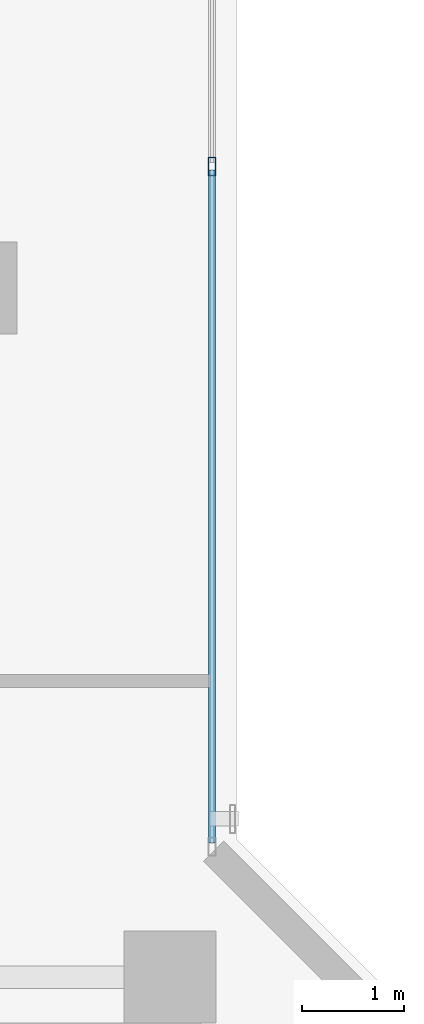
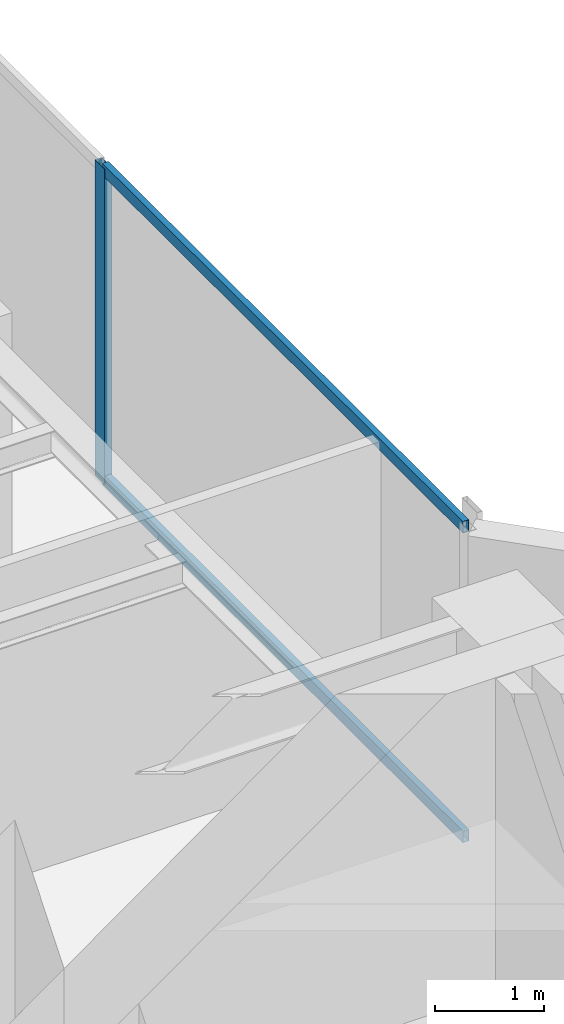
# One storey, part 14 of 32: 3 members, 1 element without a shape of its own.
"""IFC4 building model written with IfcOpenShell, lengths in metres."""

from ifc_helpers import new_model, si_unit, direction, frame, origin, origin_with_axes, origin_2d, place, context, subcontext, project, spatial, hollow_rectangle, extrude, source, transform, mapped, material, layer, layer_set, material_profile, profile_set, type_object, element, aggregate, save


model = new_model("IFC4")

# Units and contexts
model_context = context("Model", 3, precision=1e-05, world=origin(), true_north=direction((0.0, 1.0)))
body_context = subcontext(model_context, "Body", "Model", "MODEL_VIEW")
ifc_project = project(units=[si_unit("LENGTHUNIT", "METRE"), si_unit("AREAUNIT", "SQUARE_METRE"), si_unit("VOLUMEUNIT", "CUBIC_METRE"), si_unit("PLANEANGLEUNIT", "RADIAN"), si_unit("MASSUNIT", "GRAM", prefix="KILO")], contexts=[model_context])

# Site, building, storey
site_placement = place(None, origin())
site = spatial("IfcSite", under=ifc_project, at=site_placement, CompositionType="ELEMENT")
building_placement = place(site_placement, origin())
building = spatial("IfcBuilding", under=site, at=building_placement, Name="Kolvaren Waterfront Exchange", CompositionType="ELEMENT")
storey_placement = place(building_placement, frame((0.0, 0.0, 348.10009765625)))
storey = spatial("IfcBuildingStorey", under=building, at=storey_placement, Name="L89", CompositionType="ELEMENT", Elevation=348.10009765625)

# Curtain wall, members
ifc_material = material(Name="Anodised bronze aluminium 6063-T6", Category="aluminium")
ifc_layer = layer(ifc_material, 0.219970703125, Name="Anodised bronze aluminium 6063-T6")
ifc_layer_set = layer_set([ifc_layer], Name="Anodised bronze aluminium 6063-T6")
curtain_wall_type = type_object("IfcCurtainWallType", Name="ARC-CW-SYS5", PredefinedType="USERDEFINED", material=ifc_layer_set)
curtain_wall_placement = place(storey_placement, origin())
curtain_wall = element("IfcCurtainWall", 1, at=curtain_wall_placement, inside=storey, type_object=curtain_wall_type, Name="L89 stick curtain wall CW5 (CW-L89-NE)", ObjectType="STICK CURTAIN WALL", PredefinedType="USERDEFINED")
ifc_material_profile_1 = material_profile(ifc_material, hollow_rectangle(XDim=0.06494140625, YDim=0.1298828125, WallThickness=0.00390625, at=origin_2d()), Name="ALU-TRN-130x65x4")
ifc_profile_set_1 = profile_set([ifc_material_profile_1], Name="Anodised bronze aluminium 6063-T6")
member_type_1 = type_object("IfcMemberType", Name="ARC-CWT-130", PredefinedType="USERDEFINED", material=ifc_profile_set_1)
shared_shape_1 = source(origin_with_axes(), body_context, "Body", "SweptSolid", [
    extrude(hollow_rectangle(XDim=0.06494140625, YDim=0.1298828125, WallThickness=0.00390625, at=origin_2d()), origin(), (0.0, 0.0, 1.0), 6.5908203125),
])
member_1_placement = place(storey_placement, frame((21.159912109375, 25.764892578125, 0.032470703125), z_axis=(0.0, 1.0, 0.0), x_axis=(-1.0, 0.0, 0.0)))
member_1 = element("IfcMember", 2, at=member_1_placement, type_object=member_type_1, Name="CW5 transom 1.1", ObjectType="TRANSOM", PredefinedType="USERDEFINED", context=body_context, shape_type="MappedRepresentation", body=[
    mapped(shared_shape_1, transform((0.0, 0.0, 0.0), x_axis=(1.0, 0.0, 0.0), y_axis=(0.0, 1.0, 0.0), z_axis=(0.0, 0.0, 1.0), scale=1.0)),
])
member_2_placement = place(storey_placement, frame((21.159912109375, 25.764892578125, 3.4873046875), z_axis=(0.0, 1.0, 0.0), x_axis=(-1.0, 0.0, 0.0)))
member_2 = element("IfcMember", 3, at=member_2_placement, type_object=member_type_1, Name="CW5 transom 1.2", ObjectType="TRANSOM", PredefinedType="USERDEFINED", context=body_context, shape_type="MappedRepresentation", body=[
    mapped(shared_shape_1, transform((0.0, 0.0, 0.0), x_axis=(1.0, 0.0, 0.0), y_axis=(0.0, 1.0, 0.0), z_axis=(0.0, 0.0, 1.0), scale=1.0)),
])
ifc_material_profile_2 = material_profile(ifc_material, hollow_rectangle(XDim=0.074951171875, YDim=0.179931640625, WallThickness=0.00439453125, at=origin_2d()), Name="ALU-MUL-180x75x4.5")
ifc_profile_set_2 = profile_set([ifc_material_profile_2], Name="Anodised bronze aluminium 6063-T6")
member_type_2 = type_object("IfcMemberType", Name="ARC-CWM-180", PredefinedType="MULLION", material=ifc_profile_set_2)
shared_shape_2 = source(origin_with_axes(), body_context, "Body", "SweptSolid", [
    extrude(hollow_rectangle(XDim=0.074951171875, YDim=0.179931640625, WallThickness=0.00439453125, at=origin_2d()), origin(), (0.0, 0.0, 1.0), 3.52001953125),
])
member_3_placement = place(storey_placement, frame((21.159912109375, 32.393310546875, 0.0), z_axis=(0.0, 0.0, 1.0), x_axis=(-1.0, 0.0, 0.0)))
member_3 = element("IfcMember", 4, at=member_3_placement, type_object=member_type_2, Name="CW5 mullion 2", PredefinedType="MULLION", context=body_context, shape_type="MappedRepresentation", body=[
    mapped(shared_shape_2, transform((0.0, 0.0, 0.0), x_axis=(1.0, 0.0, 0.0), y_axis=(0.0, 1.0, 0.0), z_axis=(0.0, 0.0, 1.0), scale=1.0)),
])
aggregate(curtain_wall, [member_3, member_1, member_2])

save(model, "model.ifc")
